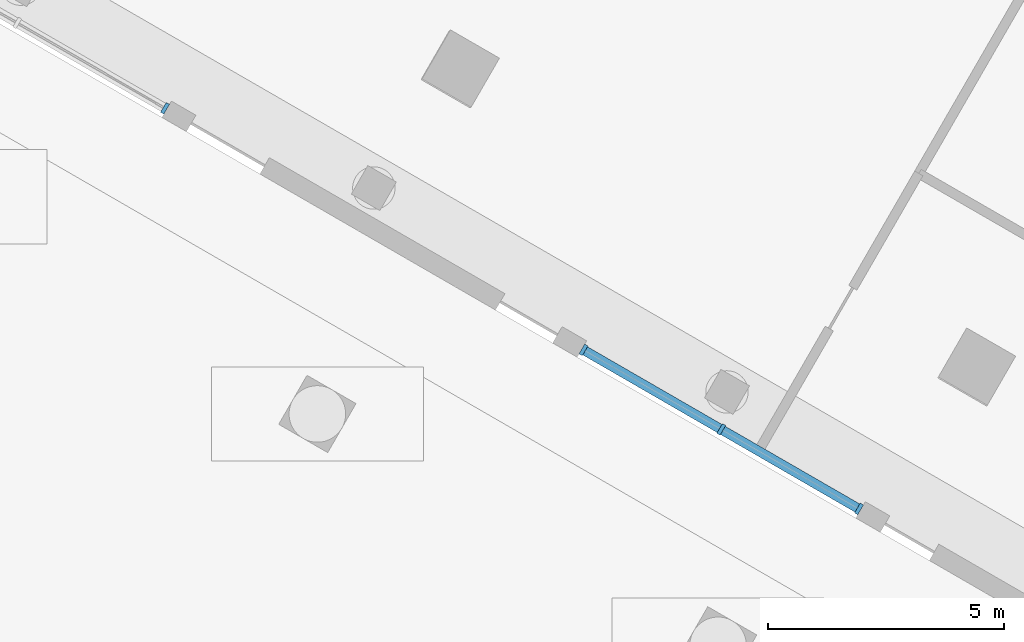
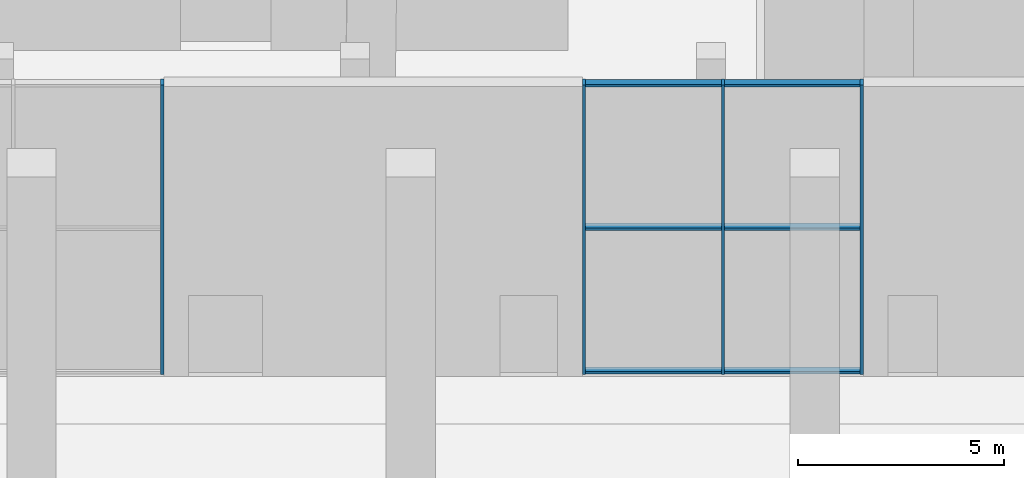
# One storey, part 8 of 63: 10 members, 2 elements without a shape of their own.
"""IFC4 building model written with IfcOpenShell, lengths in metres."""

from ifc_helpers import new_model, si_unit, direction, frame, origin, origin_2d, place, context, subcontext, project, spatial, rectangle, extrude, material, layer, layer_set, material_profile, profile_set, type_object, element, aggregate, save


model = new_model("IFC4")

# Units and contexts
model_context = context("Model", 3, precision=1e-05, world=origin(), true_north=direction((0.0, 1.0)))
body_context = subcontext(model_context, "Body", "Model", "MODEL_VIEW")
ifc_project = project(units=[si_unit("LENGTHUNIT", "METRE"), si_unit("AREAUNIT", "SQUARE_METRE"), si_unit("VOLUMEUNIT", "CUBIC_METRE"), si_unit("PLANEANGLEUNIT", "RADIAN"), si_unit("MASSUNIT", "GRAM", prefix="KILO")], contexts=[model_context])

# Site, building, storey
site_placement = place(None, origin())
site = spatial("IfcSite", under=ifc_project, at=site_placement, CompositionType="ELEMENT")
building_placement = place(site_placement, origin())
building = spatial("IfcBuilding", under=site, at=building_placement, Name="Jabali Bay Hotel Tower and Convention Centre", CompositionType="ELEMENT")
storey_placement = place(building_placement, origin())
storey = spatial("IfcBuildingStorey", under=building, at=storey_placement, Name="L00", CompositionType="ELEMENT", Elevation=0.0)

# Curtain wall, member
ifc_material_1 = material(Name="Aluminium and glass", Category="aluminium")
ifc_layer = layer(ifc_material_1, 0.239990234375)
ifc_layer_set = layer_set([ifc_layer], Name="Aluminium and glass")
curtain_wall_type = type_object("IfcCurtainWallType", Name="CW2 curtain wall", PredefinedType="NOTDEFINED", material=ifc_layer_set)
curtain_wall_1_placement = place(storey_placement, origin())
curtain_wall_1 = element("IfcCurtainWall", 1, at=curtain_wall_1_placement, inside=storey, type_object=curtain_wall_type, Name="CW2 curtain wall south-west face L00", PredefinedType="NOTDEFINED")
ifc_material_2 = material(Name="Aluminium", Category="aluminium")
ifc_material_profile_1 = material_profile(ifc_material_2, rectangle(XDim=0.239990234375, YDim=0.080078125, at=origin_2d()), Name="CW2 mullion 80 x 240")
ifc_profile_set_1 = profile_set([ifc_material_profile_1], Name="Aluminium")
member_type_1 = type_object("IfcMemberType", Name="CW2 mullion 80 x 240", PredefinedType="MULLION", material=ifc_profile_set_1)
member_1_placement = place(storey_placement, frame((45.456298828125, 64.148193359375, 0.0), z_axis=(0.0, 0.0, 1.0), x_axis=(-0.499999999441, -0.866025404107, 0.0)))
member_1 = element("IfcMember", 2, at=member_1_placement, type_object=member_type_1, Name="CW2 mullion 1", PredefinedType="MULLION", context=body_context, shape_type="SweptSolid", body=[
    extrude(rectangle(XDim=0.239990234375, YDim=0.080078125, at=origin_2d()), origin(), (0.0, 0.0, 1.0), 8.60009765625),
])
aggregate(curtain_wall_1, [member_1])

# Curtain wall, members
curtain_wall_2_placement = place(storey_placement, origin())
curtain_wall_2 = element("IfcCurtainWall", 3, at=curtain_wall_2_placement, inside=storey, type_object=curtain_wall_type, Name="CW2 curtain wall south-west face L00", PredefinedType="NOTDEFINED")
member_2_placement = place(storey_placement, frame((60.179443359375, 55.647705078125, 0.0), z_axis=(0.0, 0.0, 1.0), x_axis=(-0.499999999441, -0.866025404107, 0.0)))
member_2 = element("IfcMember", 4, at=member_2_placement, type_object=member_type_1, Name="CW2 mullion 1", PredefinedType="MULLION", context=body_context, shape_type="SweptSolid", body=[
    extrude(rectangle(XDim=0.239990234375, YDim=0.080078125, at=origin_2d()), origin(), (0.0, 0.0, 1.0), 8.60009765625),
])
member_3_placement = place(storey_placement, frame((57.25732421875, 57.334716796875, 0.0), z_axis=(0.0, 0.0, 1.0), x_axis=(-0.499999999441, -0.866025404107, 0.0)))
member_3 = element("IfcMember", 5, at=member_3_placement, type_object=member_type_1, Name="CW2 mullion 2", PredefinedType="MULLION", context=body_context, shape_type="SweptSolid", body=[
    extrude(rectangle(XDim=0.239990234375, YDim=0.080078125, at=origin_2d()), origin(), (0.0, 0.0, 1.0), 8.60009765625),
])
member_4_placement = place(storey_placement, frame((54.3349609375, 59.02197265625, 0.0), z_axis=(0.0, 0.0, 1.0), x_axis=(-0.499999999441, -0.866025404107, 0.0)))
member_4 = element("IfcMember", 6, at=member_4_placement, type_object=member_type_1, Name="CW2 mullion 3", PredefinedType="MULLION", context=body_context, shape_type="SweptSolid", body=[
    extrude(rectangle(XDim=0.239990234375, YDim=0.080078125, at=origin_2d()), origin(), (0.0, 0.0, 1.0), 8.60009765625),
])
ifc_material_profile_2 = material_profile(ifc_material_2, rectangle(XDim=0.199951171875, YDim=0.080078125, at=origin_2d()), Name="CW2 transom 80 x 200")
ifc_profile_set_2 = profile_set([ifc_material_profile_2], Name="Aluminium")
member_type_2 = type_object("IfcMemberType", Name="CW2 transom 80 x 200", PredefinedType="USERDEFINED", material=ifc_profile_set_2)
member_5_placement = place(storey_placement, frame((60.14501953125, 55.667724609375, 0.0400390625), z_axis=(-0.86605477323, 0.499949127178, 0.0), x_axis=(-0.499949127178, -0.86605477323, 0.0)))
member_5 = element("IfcMember", 7, at=member_5_placement, type_object=member_type_2, Name="CW2 transom 1.1", ObjectType="TRANSOM", PredefinedType="USERDEFINED", context=body_context, shape_type="SweptSolid", body=[
    extrude(rectangle(XDim=0.199951171875, YDim=0.080078125, at=origin_2d()), origin(), (0.0, 0.0, 1.0), 3.294189453125),
])
member_6_placement = place(storey_placement, frame((60.14501953125, 55.667724609375, 4.300048828125), z_axis=(-0.86605477323, 0.499949127178, 0.0), x_axis=(-0.499949127178, -0.86605477323, 0.0)))
member_6 = element("IfcMember", 8, at=member_6_placement, type_object=member_type_2, Name="CW2 transom 1.2", ObjectType="TRANSOM", PredefinedType="USERDEFINED", context=body_context, shape_type="SweptSolid", body=[
    extrude(rectangle(XDim=0.199951171875, YDim=0.080078125, at=origin_2d()), origin(), (0.0, 0.0, 1.0), 3.294189453125),
])
member_7_placement = place(storey_placement, frame((60.14501953125, 55.667724609375, 8.56005859375), z_axis=(-0.86605477323, 0.499949127178, 0.0), x_axis=(-0.499949127178, -0.86605477323, 0.0)))
member_7 = element("IfcMember", 9, at=member_7_placement, type_object=member_type_2, Name="CW2 transom 1.3", ObjectType="TRANSOM", PredefinedType="USERDEFINED", context=body_context, shape_type="SweptSolid", body=[
    extrude(rectangle(XDim=0.199951171875, YDim=0.080078125, at=origin_2d()), origin(), (0.0, 0.0, 1.0), 3.294189453125),
])
member_8_placement = place(storey_placement, frame((57.22265625, 57.354736328125, 0.0400390625), z_axis=(-0.866022684043, 0.5000047107, 0.0), x_axis=(-0.5000047107, -0.866022684043, 0.0)))
member_8 = element("IfcMember", 10, at=member_8_placement, type_object=member_type_2, Name="CW2 transom 2.1", ObjectType="TRANSOM", PredefinedType="USERDEFINED", context=body_context, shape_type="SweptSolid", body=[
    extrude(rectangle(XDim=0.199951171875, YDim=0.080078125, at=origin_2d()), origin(), (0.0, 0.0, 1.0), 3.29443359375),
])
member_9_placement = place(storey_placement, frame((57.22265625, 57.354736328125, 4.300048828125), z_axis=(-0.866022684043, 0.5000047107, 0.0), x_axis=(-0.5000047107, -0.866022684043, 0.0)))
member_9 = element("IfcMember", 11, at=member_9_placement, type_object=member_type_2, Name="CW2 transom 2.2", ObjectType="TRANSOM", PredefinedType="USERDEFINED", context=body_context, shape_type="SweptSolid", body=[
    extrude(rectangle(XDim=0.199951171875, YDim=0.080078125, at=origin_2d()), origin(), (0.0, 0.0, 1.0), 3.29443359375),
])
member_10_placement = place(storey_placement, frame((57.22265625, 57.354736328125, 8.56005859375), z_axis=(-0.866022684043, 0.5000047107, 0.0), x_axis=(-0.5000047107, -0.866022684043, 0.0)))
member_10 = element("IfcMember", 12, at=member_10_placement, type_object=member_type_2, Name="CW2 transom 2.3", ObjectType="TRANSOM", PredefinedType="USERDEFINED", context=body_context, shape_type="SweptSolid", body=[
    extrude(rectangle(XDim=0.199951171875, YDim=0.080078125, at=origin_2d()), origin(), (0.0, 0.0, 1.0), 3.29443359375),
])
aggregate(curtain_wall_2, [member_2, member_3, member_4, member_5, member_6, member_7, member_8, member_9, member_10])

save(model, "model.ifc")
